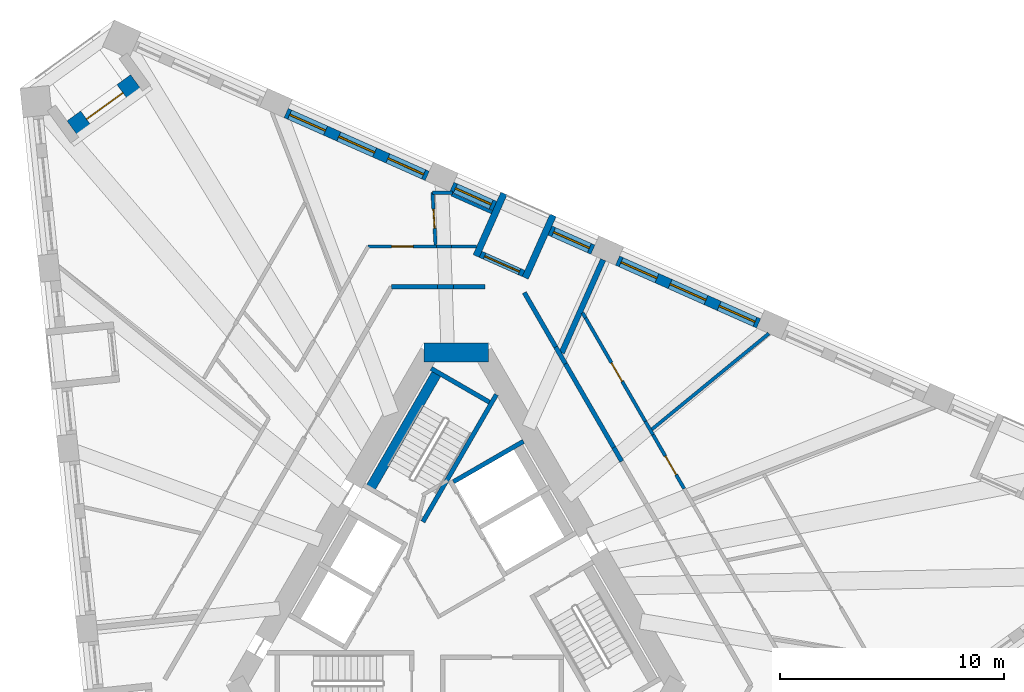
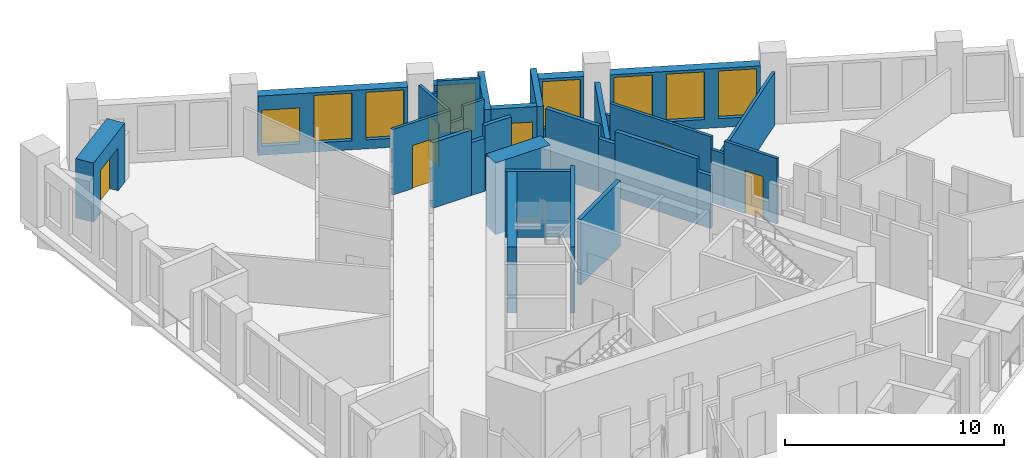
# One storey, part 8 of 14: 32 walls, 8 windows, 6 doors, 14 openings.
"""IFC4 building model written with IfcOpenShell, lengths in metres."""

from ifc_helpers import new_model, si_unit, direction, frame, frame_2d, origin, place, context, subcontext, project, spatial, rectangle, extrude, material, layer, layer_set, type_object, element, fill, save


model = new_model("IFC4")

# Units and contexts
model_context = context("Model", 3, precision=1e-05, world=origin(), true_north=direction((0.0, 1.0)))
body_context = subcontext(model_context, "Body", "Model", "MODEL_VIEW")
ifc_project = project(units=[si_unit("LENGTHUNIT", "METRE"), si_unit("AREAUNIT", "SQUARE_METRE"), si_unit("VOLUMEUNIT", "CUBIC_METRE"), si_unit("PLANEANGLEUNIT", "RADIAN"), si_unit("MASSUNIT", "GRAM", prefix="KILO")], contexts=[model_context])

# Site, building, storey
site_placement = place(None, origin())
site = spatial("IfcSite", under=ifc_project, at=site_placement, CompositionType="ELEMENT")
building_placement = place(site_placement, origin())
building = spatial("IfcBuilding", under=site, at=building_placement, Name="Tramontana Tower", CompositionType="ELEMENT")
storey_placement = place(building_placement, frame((0.0, 0.0, 166.800048828125)))
storey = spatial("IfcBuildingStorey", under=building, at=storey_placement, Name="L38", CompositionType="ELEMENT", Elevation=166.800048828125)

# Walls
ifc_material_1 = material(Name="Concrete 70 MPa", Category="concrete")
ifc_layer_1 = layer(ifc_material_1, 0.85009765625)
ifc_layer_set_1 = layer_set([ifc_layer_1], Name="Core wall 850 70 MPa")
wall_type_1 = type_object("IfcWallType", Name="Core wall 850 70 MPa", PredefinedType="SHEAR", material=ifc_layer_set_1)
wall_1_placement = place(storey_placement, frame((1.443359375, 10.574951171875, 0.0), z_axis=(0.0, 0.0, 1.0), x_axis=(-1.0, 0.0, 0.0)))
element("IfcWall", 1, at=wall_1_placement, inside=storey, type_object=wall_type_1, Name="Core wall C0 L38", PredefinedType="SHEAR", context=body_context, shape_type="SweptSolid", body=[
    extrude(rectangle(XDim=2.88671875, YDim=0.85009765625, at=frame_2d((1.443359375, 0.0))), origin(), (0.0, 0.0, 1.0), 4.0),
])
ifc_material_2 = material(Name="Blockwork", Category="masonry")
ifc_layer_2 = layer(ifc_material_2, 0.199951171875)
ifc_layer_set_2 = layer_set([ifc_layer_2], Name="ENTRY WALL 200")
wall_type_2 = type_object("IfcWallType", Name="ENTRY WALL 200", PredefinedType="SOLIDWALL", material=ifc_layer_set_2)
wall_2_placement = place(storey_placement, frame((3.034912109375, 13.243408203125, 0.0), z_axis=(0.0, 0.0, 1.0), x_axis=(0.499976698542, -0.86603885647, 0.0)))
element("IfcWall", 2, at=wall_2_placement, inside=storey, type_object=wall_type_2, Name="Wall v40-ew0-0", PredefinedType="SOLIDWALL", context=body_context, shape_type="SweptSolid", body=[
    extrude(rectangle(XDim=2.798583984375, YDim=0.199951171875, at=frame_2d((1.3994140625, 0.0))), origin(), (0.0, 0.0, 1.0), 3.64990234375),
])
wall_3_placement = place(storey_placement, frame((4.43408203125, 10.81982421875, 0.0), z_axis=(0.0, 0.0, 1.0), x_axis=(0.500023708017, -0.866011715522, 0.0)))
element("IfcWall", 3, at=wall_3_placement, inside=storey, type_object=wall_type_2, Name="Wall v40-ew0-1", PredefinedType="SOLIDWALL", context=body_context, shape_type="SweptSolid", body=[
    extrude(rectangle(XDim=0.865234375, YDim=0.199951171875, at=frame_2d((0.4326171875, 0.0))), origin(), (0.0, 0.0, 1.0), 2.949951171875),
])
wall_4_placement = place(storey_placement, frame((4.86669921875, 10.070556640625, 0.0), z_axis=(0.0, 0.0, 1.0), x_axis=(0.499992344383, -0.866029823712, 0.0)))
element("IfcWall", 4, at=wall_4_placement, inside=storey, type_object=wall_type_2, Name="Wall v40-ew0-2", PredefinedType="SOLIDWALL", context=body_context, shape_type="SweptSolid", body=[
    extrude(rectangle(XDim=4.306640625, YDim=0.199951171875, at=frame_2d((2.1533203125, 0.0))), origin(), (0.0, 0.0, 1.0), 3.64990234375),
])
wall_5_placement = place(storey_placement, frame((7.02001953125, 6.3408203125, 0.0), z_axis=(0.0, 0.0, 1.0), x_axis=(0.50012879774, -0.865951029603, 0.0)))
element("IfcWall", 5, at=wall_5_placement, inside=storey, type_object=wall_type_2, Name="Wall v40-ew0-3", PredefinedType="SOLIDWALL", context=body_context, shape_type="SweptSolid", body=[
    extrude(rectangle(XDim=0.710693359375, YDim=0.199951171875, at=frame_2d((0.35546875, 0.0))), origin(), (0.0, 0.0, 1.0), 2.949951171875),
])
wall_6_placement = place(storey_placement, frame((-2.88671875, 13.5, 0.0), z_axis=(0.0, 0.0, 1.0), x_axis=(1.0, 0.0, 0.0)))
element("IfcWall", 6, at=wall_6_placement, inside=storey, type_object=wall_type_2, Name="Wall v40-ew5-0", PredefinedType="SOLIDWALL", context=body_context, shape_type="SweptSolid", body=[
    extrude(rectangle(XDim=2.057861328125, YDim=0.199951171875, at=frame_2d((1.02880859375, 0.0))), origin(), (0.0, 0.0, 1.0), 3.64990234375),
])
wall_7_placement = place(storey_placement, frame((-0.828857421875, 13.5, 0.0), z_axis=(0.0, 0.0, 1.0), x_axis=(1.0, 0.0, 0.0)))
element("IfcWall", 7, at=wall_7_placement, inside=storey, type_object=wall_type_2, Name="Wall v40-ew5-1", PredefinedType="SOLIDWALL", context=body_context, shape_type="SweptSolid", body=[
    extrude(rectangle(XDim=0.700439453125, YDim=0.199951171875, at=frame_2d((0.35009765625, 0.0))), origin(), (0.0, 0.0, 1.0), 2.949951171875),
])
wall_8_placement = place(storey_placement, frame((-0.12841796875, 13.5, 0.0), z_axis=(0.0, 0.0, 1.0), x_axis=(1.0, 0.0, 0.0)))
element("IfcWall", 8, at=wall_8_placement, inside=storey, type_object=wall_type_2, Name="Wall v40-ew5-2", PredefinedType="SOLIDWALL", context=body_context, shape_type="SweptSolid", body=[
    extrude(rectangle(XDim=1.39990234375, YDim=0.199951171875, at=frame_2d((0.699951171875, 0.0))), origin(), (0.0, 0.0, 1.0), 3.64990234375),
])

# Wall, openings, windows
ifc_material_3 = material(Name="Precast concrete 60 MPa", Category="concrete")
ifc_layer_3 = layer(ifc_material_3, 0.449951171875)
ifc_layer_set_3 = layer_set([ifc_layer_3], Name="Precast concrete 60 MPa, 450 mm")
wall_type_3 = type_object("IfcWallType", Name="EW1 Stone-faced precast wall 450", PredefinedType="SOLIDWALL", material=ifc_layer_set_3)
wall_9_placement = place(storey_placement, frame((13.475830078125, 11.8701171875, 0.0), z_axis=(0.0, 0.0, 1.0), x_axis=(-0.913543675585, 0.40674064562, 0.0)))
wall_9 = element("IfcWall", 9, at=wall_9_placement, inside=storey, type_object=wall_type_3, Name="External wall L38 face 2 bay 3", PredefinedType="SOLIDWALL", context=body_context, shape_type="SweptSolid", body=[
    extrude(rectangle(XDim=6.8828125, YDim=0.449951171875, at=frame_2d((3.44140625, 0.0))), origin(), (0.0, 0.0, 1.0), 3.300048828125),
])
opening_1_placement = place(wall_9_placement, frame((0.172119140625, 0.0, 0.5)))
opening_1 = element("IfcOpeningElement", 10, at=opening_1_placement, cuts=wall_9, Name="Opening M2", PredefinedType="OPENING", context=body_context, shape_type="SweptSolid", body=[
    extrude(rectangle(XDim=1.75, YDim=2.64990234375, at=frame_2d((0.875, 1.324951171875))), frame((0.0, 0.23486328125, 0.0), z_axis=(0.0, -1.0, 0.0), x_axis=(1.0, 0.0, 0.0)), (0.0, 0.0, 1.0), 0.469970703125),
])
opening_2_placement = place(wall_9_placement, frame((2.56640625, 0.0, 0.5)))
opening_2 = element("IfcOpeningElement", 11, at=opening_2_placement, cuts=wall_9, Name="Opening M2", PredefinedType="OPENING", context=body_context, shape_type="SweptSolid", body=[
    extrude(rectangle(XDim=1.75, YDim=2.64990234375, at=frame_2d((0.875, 1.324951171875))), frame((0.0, 0.23486328125, 0.0), z_axis=(0.0, -1.0, 0.0), x_axis=(1.0, 0.0, 0.0)), (0.0, 0.0, 1.0), 0.469970703125),
])
opening_3_placement = place(wall_9_placement, frame((4.960693359375, 0.0, 0.5)))
opening_3 = element("IfcOpeningElement", 12, at=opening_3_placement, cuts=wall_9, Name="Opening M2", PredefinedType="OPENING", context=body_context, shape_type="SweptSolid", body=[
    extrude(rectangle(XDim=1.75, YDim=2.64990234375, at=frame_2d((0.875, 1.324951171875))), frame((0.0, 0.23486328125, 0.0), z_axis=(0.0, -1.0, 0.0), x_axis=(1.0, 0.0, 0.0)), (0.0, 0.0, 1.0), 0.469970703125),
])
ifc_material_4 = material(Name="Aluminum frame, double glazing unit", Category="aluminium")
window_type_1 = type_object("IfcWindowType", Name="M2 Window 1.75 x 2.65", PartitioningType="SINGLE_PANEL", PredefinedType="WINDOW", material=ifc_material_4)
window_1_placement = place(opening_1_placement, origin())
window_1 = element("IfcWindow", 13, at=window_1_placement, inside=storey, type_object=window_type_1, Name="Window M2 L38 face 2 module 7", OverallHeight=2.64990234375, OverallWidth=1.75, PartitioningType="SINGLE_PANEL", PredefinedType="WINDOW", context=body_context, shape_type="SweptSolid", body=[
    extrude(rectangle(XDim=1.75, YDim=2.64990234375, at=frame_2d((0.875, 1.324951171875))), frame((0.0, 0.030029296875, 0.0), z_axis=(0.0, -1.0, 0.0), x_axis=(1.0, 0.0, 0.0)), (0.0, 0.0, 1.0), 0.06005859375),
])
fill(opening_1, window_1)
window_2_placement = place(opening_2_placement, origin())
window_2 = element("IfcWindow", 14, at=window_2_placement, inside=storey, type_object=window_type_1, Name="Window M2 L38 face 2 module 8", OverallHeight=2.64990234375, OverallWidth=1.75, PartitioningType="SINGLE_PANEL", PredefinedType="WINDOW", context=body_context, shape_type="SweptSolid", body=[
    extrude(rectangle(XDim=1.75, YDim=2.64990234375, at=frame_2d((0.875, 1.324951171875))), frame((0.0, 0.030029296875, 0.0), z_axis=(0.0, -1.0, 0.0), x_axis=(1.0, 0.0, 0.0)), (0.0, 0.0, 1.0), 0.06005859375),
])
fill(opening_2, window_2)
window_3_placement = place(opening_3_placement, origin())
window_3 = element("IfcWindow", 15, at=window_3_placement, inside=storey, type_object=window_type_1, Name="Window M2 L38 face 2 module 9", OverallHeight=2.64990234375, OverallWidth=1.75, PartitioningType="SINGLE_PANEL", PredefinedType="WINDOW", context=body_context, shape_type="SweptSolid", body=[
    extrude(rectangle(XDim=1.75, YDim=2.64990234375, at=frame_2d((0.875, 1.324951171875))), frame((0.0, 0.030029296875, 0.0), z_axis=(0.0, -1.0, 0.0), x_axis=(1.0, 0.0, 0.0)), (0.0, 0.0, 1.0), 0.06005859375),
])
fill(opening_3, window_3)

# Wall, opening, window
wall_10_placement = place(storey_placement, frame((6.091796875, 15.15771484375, 0.0), z_axis=(0.0, 0.0, 1.0), x_axis=(-0.913537312596, 0.406754936657, 0.0)))
wall_10 = element("IfcWall", 16, at=wall_10_placement, inside=storey, type_object=wall_type_3, Name="External wall L38 face 2 bay 4", PredefinedType="SOLIDWALL", context=body_context, shape_type="SweptSolid", body=[
    extrude(rectangle(XDim=2.09423828125, YDim=0.449951171875, at=frame_2d((1.047119140625, 0.0))), origin(), (0.0, 0.0, 1.0), 3.300048828125),
])
opening_4_placement = place(wall_10_placement, frame((0.172119140625, 0.0, 0.5)))
opening_4 = element("IfcOpeningElement", 17, at=opening_4_placement, cuts=wall_10, Name="Opening M2", PredefinedType="OPENING", context=body_context, shape_type="SweptSolid", body=[
    extrude(rectangle(XDim=1.75, YDim=2.64990234375, at=frame_2d((0.875, 1.324951171875))), frame((0.0, 0.23486328125, 0.0), z_axis=(0.0, -1.0, 0.0), x_axis=(1.0, 0.0, 0.0)), (0.0, 0.0, 1.0), 0.469970703125),
])
window_4_placement = place(opening_4_placement, origin())
window_4 = element("IfcWindow", 18, at=window_4_placement, inside=storey, type_object=window_type_1, Name="Window M2 L38 face 2 module 10", OverallHeight=2.64990234375, OverallWidth=1.75, PartitioningType="SINGLE_PANEL", PredefinedType="WINDOW", context=body_context, shape_type="SweptSolid", body=[
    extrude(rectangle(XDim=1.75, YDim=2.64990234375, at=frame_2d((0.875, 1.324951171875))), frame((0.0, 0.030029296875, 0.0), z_axis=(0.0, -1.0, 0.0), x_axis=(1.0, 0.0, 0.0)), (0.0, 0.0, 1.0), 0.06005859375),
])
fill(opening_4, window_4)

wall_11_placement = place(storey_placement, frame((1.71728515625, 17.10546875, 0.0), z_axis=(0.0, 0.0, 1.0), x_axis=(-0.913556597974, 0.40671162056, 0.0)))
wall_11 = element("IfcWall", 19, at=wall_11_placement, inside=storey, type_object=wall_type_3, Name="External wall L38 face 2 bay 4", PredefinedType="SOLIDWALL", context=body_context, shape_type="SweptSolid", body=[
    extrude(rectangle(XDim=2.094482421875, YDim=0.449951171875, at=frame_2d((1.04736328125, 0.0))), origin(), (0.0, 0.0, 1.0), 3.300048828125),
])
opening_5_placement = place(wall_11_placement, frame((0.172119140625, 0.0, 0.5)))
opening_5 = element("IfcOpeningElement", 20, at=opening_5_placement, cuts=wall_11, Name="Opening M2", PredefinedType="OPENING", context=body_context, shape_type="SweptSolid", body=[
    extrude(rectangle(XDim=1.75, YDim=2.64990234375, at=frame_2d((0.875, 1.324951171875))), frame((0.0, 0.23486328125, 0.0), z_axis=(0.0, -1.0, 0.0), x_axis=(1.0, 0.0, 0.0)), (0.0, 0.0, 1.0), 0.469970703125),
])
window_5_placement = place(opening_5_placement, origin())
window_5 = element("IfcWindow", 21, at=window_5_placement, inside=storey, type_object=window_type_1, Name="Window M2 L38 face 2 module 12", OverallHeight=2.64990234375, OverallWidth=1.75, PartitioningType="SINGLE_PANEL", PredefinedType="WINDOW", context=body_context, shape_type="SweptSolid", body=[
    extrude(rectangle(XDim=1.75, YDim=2.64990234375, at=frame_2d((0.875, 1.324951171875))), frame((0.0, 0.030029296875, 0.0), z_axis=(0.0, -1.0, 0.0), x_axis=(1.0, 0.0, 0.0)), (0.0, 0.0, 1.0), 0.06005859375),
])
fill(opening_5, window_5)

# Wall, openings, windows
wall_12_placement = place(storey_placement, frame((-1.292236328125, 18.4453125, 0.0), z_axis=(0.0, 0.0, 1.0), x_axis=(-0.913543675585, 0.40674064562, 0.0)))
wall_12 = element("IfcWall", 22, at=wall_12_placement, inside=storey, type_object=wall_type_3, Name="External wall L38 face 2 bay 5", PredefinedType="SOLIDWALL", context=body_context, shape_type="SweptSolid", body=[
    extrude(rectangle(XDim=6.8828125, YDim=0.449951171875, at=frame_2d((3.44140625, 0.0))), origin(), (0.0, 0.0, 1.0), 3.300048828125),
])
opening_6_placement = place(wall_12_placement, frame((0.172119140625, 0.0, 0.5)))
opening_6 = element("IfcOpeningElement", 23, at=opening_6_placement, cuts=wall_12, Name="Opening M2", PredefinedType="OPENING", context=body_context, shape_type="SweptSolid", body=[
    extrude(rectangle(XDim=1.75, YDim=2.64990234375, at=frame_2d((0.875, 1.324951171875))), frame((0.0, 0.23486328125, 0.0), z_axis=(0.0, -1.0, 0.0), x_axis=(1.0, 0.0, 0.0)), (0.0, 0.0, 1.0), 0.469970703125),
])
opening_7_placement = place(wall_12_placement, frame((2.56640625, 0.0, 0.5)))
opening_7 = element("IfcOpeningElement", 24, at=opening_7_placement, cuts=wall_12, Name="Opening M2", PredefinedType="OPENING", context=body_context, shape_type="SweptSolid", body=[
    extrude(rectangle(XDim=1.75, YDim=2.64990234375, at=frame_2d((0.875, 1.324951171875))), frame((0.0, 0.23486328125, 0.0), z_axis=(0.0, -1.0, 0.0), x_axis=(1.0, 0.0, 0.0)), (0.0, 0.0, 1.0), 0.469970703125),
])
opening_8_placement = place(wall_12_placement, frame((4.960693359375, 0.0, 0.5)))
opening_8 = element("IfcOpeningElement", 25, at=opening_8_placement, cuts=wall_12, Name="Opening M2L", PredefinedType="OPENING", context=body_context, shape_type="SweptSolid", body=[
    extrude(rectangle(XDim=1.75, YDim=2.0, at=frame_2d((0.875, 1.0))), frame((0.0, 0.23486328125, 0.0), z_axis=(0.0, -1.0, 0.0), x_axis=(1.0, 0.0, 0.0)), (0.0, 0.0, 1.0), 0.469970703125),
])
window_6_placement = place(opening_6_placement, origin())
window_6 = element("IfcWindow", 26, at=window_6_placement, inside=storey, type_object=window_type_1, Name="Window M2 L38 face 2 module 13", OverallHeight=2.64990234375, OverallWidth=1.75, PartitioningType="SINGLE_PANEL", PredefinedType="WINDOW", context=body_context, shape_type="SweptSolid", body=[
    extrude(rectangle(XDim=1.75, YDim=2.64990234375, at=frame_2d((0.875, 1.324951171875))), frame((0.0, 0.030029296875, 0.0), z_axis=(0.0, -1.0, 0.0), x_axis=(1.0, 0.0, 0.0)), (0.0, 0.0, 1.0), 0.06005859375),
])
fill(opening_6, window_6)
window_7_placement = place(opening_7_placement, origin())
window_7 = element("IfcWindow", 27, at=window_7_placement, inside=storey, type_object=window_type_1, Name="Window M2 L38 face 2 module 14", OverallHeight=2.64990234375, OverallWidth=1.75, PartitioningType="SINGLE_PANEL", PredefinedType="WINDOW", context=body_context, shape_type="SweptSolid", body=[
    extrude(rectangle(XDim=1.75, YDim=2.64990234375, at=frame_2d((0.875, 1.324951171875))), frame((0.0, 0.030029296875, 0.0), z_axis=(0.0, -1.0, 0.0), x_axis=(1.0, 0.0, 0.0)), (0.0, 0.0, 1.0), 0.06005859375),
])
fill(opening_7, window_7)
ifc_material_5 = material(Name="Aluminum frame, double glazing unit", Category="aluminium")
window_type_2 = type_object("IfcWindowType", Name="M2L Window 1.75 x 2", PartitioningType="SINGLE_PANEL", PredefinedType="WINDOW", material=ifc_material_5)
window_8_placement = place(opening_8_placement, origin())
window_8 = element("IfcWindow", 28, at=window_8_placement, inside=storey, type_object=window_type_2, Name="Window M2L L38 face 2 module 15", OverallHeight=2.0, OverallWidth=1.75, PartitioningType="SINGLE_PANEL", PredefinedType="WINDOW", context=body_context, shape_type="SweptSolid", body=[
    extrude(rectangle(XDim=1.75, YDim=2.0, at=frame_2d((0.875, 1.0))), frame((0.0, 0.030029296875, 0.0), z_axis=(0.0, -1.0, 0.0), x_axis=(1.0, 0.0, 0.0)), (0.0, 0.0, 1.0), 0.06005859375),
])
fill(opening_8, window_8)

# Wall, opening, door
ifc_material_6 = material(Name="Precast concrete 60 MPa", Category="concrete")
ifc_layer_4 = layer(ifc_material_6, 0.89990234375)
ifc_layer_set_4 = layer_set([ifc_layer_4], Name="EW2 Stone-faced corner loggia wall 900")
wall_type_4 = type_object("IfcWallType", Name="EW2 Stone-faced corner loggia wall 900", PredefinedType="SOLIDWALL", material=ifc_layer_set_4)
wall_13_placement = place(storey_placement, frame((-17.080322265625, 20.53173828125, 0.0), z_axis=(0.0, 0.0, 1.0), x_axis=(0.809031597325, 0.587765152531, 0.0)))
wall_13 = element("IfcWall", 29, at=wall_13_placement, inside=storey, type_object=wall_type_4, Name="Corner loggia wall L38 K40", PredefinedType="SOLIDWALL", context=body_context, shape_type="SweptSolid", body=[
    extrude(rectangle(XDim=3.5, YDim=0.89990234375, at=frame_2d((1.75, 0.0))), origin(), (0.0, 0.0, 1.0), 3.300048828125),
])
opening_9_placement = place(wall_13_placement, frame((0.75, 0.0, 0.0)))
opening_9 = element("IfcOpeningElement", 30, at=opening_9_placement, cuts=wall_13, Name="Opening BD-40C", PredefinedType="OPENING", context=body_context, shape_type="SweptSolid", body=[
    extrude(rectangle(XDim=2.0, YDim=2.39990234375, at=frame_2d((1.0, 1.199951171875))), frame((0.0, 0.4599609375, 0.0), z_axis=(0.0, -1.0, 0.0), x_axis=(1.0, 0.0, 0.0)), (0.0, 0.0, 1.0), 0.919921875),
])
ifc_material_7 = material(Name="Aluminum frame, double glazing unit", Category="aluminium")
door_type_1 = type_object("IfcDoorType", Name="BC1 Sliding door 2 x 2.4", OperationType="SLIDING_TO_LEFT", PredefinedType="DOOR", material=ifc_material_7)
door_1_placement = place(opening_9_placement, origin())
door_1 = element("IfcDoor", 31, at=door_1_placement, inside=storey, type_object=door_type_1, Name="Corner loggia door L38 K40", OperationType="SLIDING_TO_LEFT", OverallHeight=2.39990234375, OverallWidth=2.0, PredefinedType="DOOR", context=body_context, shape_type="SweptSolid", body=[
    extrude(rectangle(XDim=2.0, YDim=2.39990234375, at=frame_2d((1.0, 1.199951171875))), frame((0.0, 0.02490234375, 0.0), z_axis=(0.0, -1.0, 0.0), x_axis=(1.0, 0.0, 0.0)), (0.0, 0.0, 1.0), 0.050048828125),
])
fill(opening_9, door_1)

ifc_material_8 = material(Name="Precast concrete 60 MPa", Category="concrete")
ifc_layer_5 = layer(ifc_material_8, 0.300048828125)
ifc_layer_set_5 = layer_set([ifc_layer_5], Name="LW1 Stone-faced loggia wall 300")
wall_type_5 = type_object("IfcWallType", Name="LW1 Stone-faced loggia wall 300", PredefinedType="SOLIDWALL", material=ifc_layer_set_5)
wall_14_placement = place(storey_placement, frame((2.99951171875, 14.098876953125, 0.0), z_axis=(0.0, 0.0, 1.0), x_axis=(-0.913537312596, 0.406754936657, 0.0)))
wall_14 = element("IfcWall", 32, at=wall_14_placement, inside=storey, type_object=wall_type_5, Name="Loggia wall L38 G4S2.10", PredefinedType="SOLIDWALL", context=body_context, shape_type="SweptSolid", body=[
    extrude(rectangle(XDim=2.09423828125, YDim=0.300048828125, at=frame_2d((1.047119140625, 0.0))), origin(), (0.0, 0.0, 1.0), 3.300048828125),
])
opening_10_placement = place(wall_14_placement, frame((0.197265625, 0.0, 0.0)))
opening_10 = element("IfcOpeningElement", 33, at=opening_10_placement, cuts=wall_14, Name="Opening BD-4S2-10", PredefinedType="OPENING", context=body_context, shape_type="SweptSolid", body=[
    extrude(rectangle(XDim=1.699951171875, YDim=2.449951171875, at=frame_2d((0.85009765625, 1.22509765625))), frame((0.0, 0.159912109375, 0.0), z_axis=(0.0, -1.0, 0.0), x_axis=(1.0, 0.0, 0.0)), (0.0, 0.0, 1.0), 0.320068359375),
])
ifc_material_9 = material(Name="Aluminum frame, double glazing unit", Category="aluminium")
door_type_2 = type_object("IfcDoorType", Name="BD2 Sliding door 1.7 x 2.45", OperationType="SLIDING_TO_LEFT", PredefinedType="DOOR", material=ifc_material_9)
door_2_placement = place(opening_10_placement, origin())
door_2 = element("IfcDoor", 34, at=door_2_placement, inside=storey, type_object=door_type_2, Name="Loggia door L38 G4S2.10", OperationType="SLIDING_TO_LEFT", OverallHeight=2.449951171875, OverallWidth=1.699951171875, PredefinedType="DOOR", context=body_context, shape_type="SweptSolid", body=[
    extrude(rectangle(XDim=1.699951171875, YDim=2.449951171875, at=frame_2d((0.85009765625, 1.22509765625))), frame((0.0, 0.02490234375, 0.0), z_axis=(0.0, -1.0, 0.0), x_axis=(1.0, 0.0, 0.0)), (0.0, 0.0, 1.0), 0.050048828125),
])
fill(opening_10, door_2)

# Walls
wall_15_placement = place(storey_placement, frame((4.316162109375, 16.687255859375, 0.0), z_axis=(0.0, 0.0, 1.0), x_axis=(-0.406710256677, -0.913557205168, 0.0)))
element("IfcWall", 35, at=wall_15_placement, inside=storey, type_object=wall_type_5, Name="Loggia return L38 G4S2.10a", PredefinedType="SOLIDWALL", context=body_context, shape_type="SweptSolid", body=[
    extrude(rectangle(XDim=3.050048828125, YDim=0.300048828125, at=frame_2d((1.52490234375, 0.0))), origin(), (0.0, 0.0, 1.0), 3.300048828125),
])
wall_16_placement = place(storey_placement, frame((2.12890625, 17.660888671875, 0.0), z_axis=(0.0, 0.0, 1.0), x_axis=(-0.406806804169, -0.913514216683, 0.0)))
element("IfcWall", 36, at=wall_16_placement, inside=storey, type_object=wall_type_5, Name="Loggia return L38 G4S2.10b", PredefinedType="SOLIDWALL", context=body_context, shape_type="SweptSolid", body=[
    extrude(rectangle(XDim=3.0498046875, YDim=0.300048828125, at=frame_2d((1.52490234375, 0.0))), origin(), (0.0, 0.0, 1.0), 3.300048828125),
])

# Wall, opening, door
ifc_material_10 = material(Name="Gypsum board partition")
ifc_layer_6 = layer(ifc_material_10, 0.14990234375)
ifc_layer_set_6 = layer_set([ifc_layer_6], Name="PARTITION 150")
wall_type_6 = type_object("IfcWallType", Name="PARTITION 150", PredefinedType="PARTITIONING", material=ifc_layer_set_6)
wall_17_placement = place(storey_placement, frame((-3.926025390625, 15.300048828125, 0.0), z_axis=(0.0, 0.0, 1.0), x_axis=(1.0, 0.0, 0.0)))
wall_17 = element("IfcWall", 37, at=wall_17_placement, inside=storey, type_object=wall_type_6, Name="Wall v40-pw16-0", PredefinedType="PARTITIONING", context=body_context, shape_type="SweptSolid", body=[
    extrude(rectangle(XDim=3.0458984375, YDim=0.14990234375, at=frame_2d((1.52294921875, 0.0))), origin(), (0.0, 0.0, 1.0), 3.64990234375),
])
opening_11_placement = place(wall_17_placement, frame((1.052001953125, 0.0, 0.0)))
opening_11 = element("IfcOpeningElement", 38, at=opening_11_placement, cuts=wall_17, Name="Opening B4A-04", PredefinedType="OPENING", context=body_context, shape_type="SweptSolid", body=[
    extrude(rectangle(XDim=0.949951171875, YDim=2.39990234375, at=frame_2d((0.47509765625, 1.199951171875))), frame((0.0, 0.0849609375, 0.0), z_axis=(0.0, -1.0, 0.0), x_axis=(1.0, 0.0, 0.0)), (0.0, 0.0, 1.0), 0.169921875),
])
ifc_material_11 = material(Name="Painted timber", Category="wood")
door_type_3 = type_object("IfcDoorType", Name="DOOR ROOM 950", OperationType="SINGLE_SWING_LEFT", PredefinedType="DOOR", material=ifc_material_11)
door_3_placement = place(opening_11_placement, origin())
door_3 = element("IfcDoor", 39, at=door_3_placement, inside=storey, type_object=door_type_3, Name="Door B4A-04", OperationType="SINGLE_SWING_RIGHT", OverallHeight=2.39990234375, OverallWidth=0.949951171875, PredefinedType="DOOR", context=body_context, shape_type="SweptSolid", body=[
    extrude(rectangle(XDim=0.949951171875, YDim=2.39990234375, at=frame_2d((0.47509765625, 1.199951171875))), frame((0.0, 0.02490234375, 0.0), z_axis=(0.0, -1.0, 0.0), x_axis=(1.0, 0.0, 0.0)), (0.0, 0.0, 1.0), 0.050048828125),
])
fill(opening_11, door_3)

# Walls
wall_18_placement = place(storey_placement, frame((-0.880126953125, 15.300048828125, 0.0), z_axis=(0.0, 0.0, 1.0), x_axis=(1.0, 0.0, 0.0)))
element("IfcWall", 40, at=wall_18_placement, inside=storey, type_object=wall_type_6, Name="Wall v40-pw16-1", PredefinedType="PARTITIONING", context=body_context, shape_type="SweptSolid", body=[
    extrude(rectangle(XDim=0.67529296875, YDim=0.14990234375, at=frame_2d((0.337646484375, 0.0))), origin(), (0.0, 0.0, 1.0), 2.949951171875),
])
wall_19_placement = place(storey_placement, frame((-0.204833984375, 15.300048828125, 0.0), z_axis=(0.0, 0.0, 1.0), x_axis=(1.0, 0.0, 0.0)))
element("IfcWall", 41, at=wall_19_placement, inside=storey, type_object=wall_type_6, Name="Wall v40-pw16-2", PredefinedType="PARTITIONING", context=body_context, shape_type="SweptSolid", body=[
    extrude(rectangle(XDim=1.1181640625, YDim=0.14990234375, at=frame_2d((0.55908203125, 0.0))), origin(), (0.0, 0.0, 1.0), 3.64990234375),
])
wall_20_placement = place(storey_placement, frame((-1.05859375, 17.699951171875, 0.0), z_axis=(0.0, 0.0, 1.0), x_axis=(1.0, 0.0, 0.0)))
element("IfcWall", 42, at=wall_20_placement, inside=storey, type_object=wall_type_6, Name="Wall v40-pw20-0", PredefinedType="PARTITIONING", context=body_context, shape_type="SweptSolid", body=[
    extrude(rectangle(XDim=0.88720703125, YDim=0.14990234375, at=frame_2d((0.443603515625, 0.0))), origin(), (0.0, 0.0, 1.0), 2.949951171875),
])

# Wall, opening, door
wall_21_placement = place(storey_placement, frame((-1.05859375, 17.699951171875, 0.0), z_axis=(0.0, 0.0, 1.0), x_axis=(0.059643707448, -0.998219729399, 0.0)))
wall_21 = element("IfcWall", 43, at=wall_21_placement, inside=storey, type_object=wall_type_6, Name="Wall v40-pw21", PredefinedType="PARTITIONING", context=body_context, shape_type="SweptSolid", body=[
    extrude(rectangle(XDim=2.3291015625, YDim=0.14990234375, at=frame_2d((1.16455078125, 0.0))), origin(), (0.0, 0.0, 1.0), 3.64990234375),
])
opening_12_placement = place(wall_21_placement, frame((0.739501953125, 0.0, 0.0)))
opening_12 = element("IfcOpeningElement", 44, at=opening_12_placement, cuts=wall_21, Name="Opening B4A-07", PredefinedType="OPENING", context=body_context, shape_type="SweptSolid", body=[
    extrude(rectangle(XDim=0.85009765625, YDim=2.39990234375, at=frame_2d((0.425048828125, 1.199951171875))), frame((0.0, 0.0849609375, 0.0), z_axis=(0.0, -1.0, 0.0), x_axis=(1.0, 0.0, 0.0)), (0.0, 0.0, 1.0), 0.169921875),
])
ifc_material_12 = material(Name="Painted timber", Category="wood")
door_type_4 = type_object("IfcDoorType", Name="DOOR BATH 850", OperationType="SINGLE_SWING_LEFT", PredefinedType="DOOR", material=ifc_material_12)
door_4_placement = place(opening_12_placement, origin())
door_4 = element("IfcDoor", 45, at=door_4_placement, inside=storey, type_object=door_type_4, Name="Door B4A-07", OperationType="SINGLE_SWING_LEFT", OverallHeight=2.39990234375, OverallWidth=0.85009765625, PredefinedType="DOOR", context=body_context, shape_type="SweptSolid", body=[
    extrude(rectangle(XDim=0.85009765625, YDim=2.39990234375, at=frame_2d((0.425048828125, 1.199951171875))), frame((0.0, 0.02490234375, 0.0), z_axis=(0.0, -1.0, 0.0), x_axis=(1.0, 0.0, 0.0)), (0.0, 0.0, 1.0), 0.050048828125),
])
fill(opening_12, door_4)

# Walls
wall_22_placement = place(storey_placement, frame((-0.2060546875, 17.622314453125, 0.0), z_axis=(0.0, 0.0, 1.0), x_axis=(0.91356059905, -0.406702633214, 0.0)))
element("IfcWall", 46, at=wall_22_placement, inside=storey, type_object=wall_type_6, Name="Wall v40-pw22", PredefinedType="PARTITIONING", context=body_context, shape_type="SweptSolid", body=[
    extrude(rectangle(XDim=1.967041015625, YDim=0.14990234375, at=frame_2d((0.9833984375, 0.0))), origin(), (0.0, 0.0, 1.0), 3.64990234375),
])
wall_23_placement = place(storey_placement, frame((5.6328125, 12.34375, 0.0), z_axis=(0.0, 0.0, 1.0), x_axis=(0.4996419034, -0.866232052263, 0.0)))
element("IfcWall", 47, at=wall_23_placement, inside=storey, type_object=wall_type_6, Name="Wall v40-pw24-0", PredefinedType="PARTITIONING", context=body_context, shape_type="SweptSolid", body=[
    extrude(rectangle(XDim=0.262451171875, YDim=0.14990234375, at=frame_2d((0.13134765625, 0.0))), origin(), (0.0, 0.0, 1.0), 2.949951171875),
])

# Wall, opening, door
wall_24_placement = place(storey_placement, frame((5.763916015625, 12.116455078125, 0.0), z_axis=(0.0, 0.0, 1.0), x_axis=(0.500004172341, -0.866022994869, 0.0)))
wall_24 = element("IfcWall", 48, at=wall_24_placement, inside=storey, type_object=wall_type_6, Name="Wall v40-pw24-1", PredefinedType="PARTITIONING", context=body_context, shape_type="SweptSolid", body=[
    extrude(rectangle(XDim=5.326171875, YDim=0.14990234375, at=frame_2d((2.6630859375, 0.0))), origin(), (0.0, 0.0, 1.0), 3.64990234375),
])
opening_13_placement = place(wall_24_placement, frame((2.31201171875, 0.0, 0.0)))
opening_13 = element("IfcOpeningElement", 49, at=opening_13_placement, cuts=wall_24, Name="Opening B4A-19", PredefinedType="OPENING", context=body_context, shape_type="SweptSolid", body=[
    extrude(rectangle(XDim=0.949951171875, YDim=2.39990234375, at=frame_2d((0.47509765625, 1.199951171875))), frame((0.0, 0.0849609375, 0.0), z_axis=(0.0, -1.0, 0.0), x_axis=(1.0, 0.0, 0.0)), (0.0, 0.0, 1.0), 0.169921875),
])
door_5_placement = place(opening_13_placement, origin())
door_5 = element("IfcDoor", 50, at=door_5_placement, inside=storey, type_object=door_type_3, Name="Door B4A-19", OperationType="SINGLE_SWING_LEFT", OverallHeight=2.39990234375, OverallWidth=0.949951171875, PredefinedType="DOOR", context=body_context, shape_type="SweptSolid", body=[
    extrude(rectangle(XDim=0.949951171875, YDim=2.39990234375, at=frame_2d((0.47509765625, 1.199951171875))), frame((0.0, 0.02490234375, 0.0), z_axis=(0.0, -1.0, 0.0), x_axis=(1.0, 0.0, 0.0)), (0.0, 0.0, 1.0), 0.050048828125),
])
fill(opening_13, door_5)

# Wall
wall_25_placement = place(storey_placement, frame((8.427001953125, 7.50390625, 0.0), z_axis=(0.0, 0.0, 1.0), x_axis=(0.50012328804, -0.865954211699, 0.0)))
element("IfcWall", 51, at=wall_25_placement, inside=storey, type_object=wall_type_6, Name="Wall v40-pw24-2", PredefinedType="PARTITIONING", context=body_context, shape_type="SweptSolid", body=[
    extrude(rectangle(XDim=0.685302734375, YDim=0.14990234375, at=frame_2d((0.3427734375, 0.0))), origin(), (0.0, 0.0, 1.0), 2.949951171875),
])

# Wall, opening, door
wall_26_placement = place(storey_placement, frame((8.769775390625, 6.910400390625, 0.0), z_axis=(0.0, 0.0, 1.0), x_axis=(0.50000932403, -0.866020020486, 0.0)))
wall_26 = element("IfcWall", 52, at=wall_26_placement, inside=storey, type_object=wall_type_6, Name="Wall v40-pw24-3", PredefinedType="PARTITIONING", context=body_context, shape_type="SweptSolid", body=[
    extrude(rectangle(XDim=2.77490234375, YDim=0.14990234375, at=frame_2d((1.387451171875, 0.0))), origin(), (0.0, 0.0, 1.0), 3.64990234375),
])
opening_14_placement = place(wall_26_placement, frame((1.1025390625, 0.0, 0.0)))
opening_14 = element("IfcOpeningElement", 53, at=opening_14_placement, cuts=wall_26, Name="Opening B4A-18", PredefinedType="OPENING", context=body_context, shape_type="SweptSolid", body=[
    extrude(rectangle(XDim=0.949951171875, YDim=2.39990234375, at=frame_2d((0.47509765625, 1.199951171875))), frame((0.0, 0.0849609375, 0.0), z_axis=(0.0, -1.0, 0.0), x_axis=(1.0, 0.0, 0.0)), (0.0, 0.0, 1.0), 0.169921875),
])
door_6_placement = place(opening_14_placement, origin())
door_6 = element("IfcDoor", 54, at=door_6_placement, inside=storey, type_object=door_type_3, Name="Door B4A-18", OperationType="SINGLE_SWING_RIGHT", OverallHeight=2.39990234375, OverallWidth=0.949951171875, PredefinedType="DOOR", context=body_context, shape_type="SweptSolid", body=[
    extrude(rectangle(XDim=0.949951171875, YDim=2.39990234375, at=frame_2d((0.47509765625, 1.199951171875))), frame((0.0, 0.02490234375, 0.0), z_axis=(0.0, -1.0, 0.0), x_axis=(1.0, 0.0, 0.0)), (0.0, 0.0, 1.0), 0.050048828125),
])
fill(opening_14, door_6)

# Walls
wall_27_placement = place(storey_placement, frame((8.719482421875, 7.1474609375, 0.0), z_axis=(0.0, 0.0, 1.0), x_axis=(0.77340025594, 0.633918010559, 0.0)))
element("IfcWall", 55, at=wall_27_placement, inside=storey, type_object=wall_type_6, Name="Wall v40-pw28-0", PredefinedType="PARTITIONING", context=body_context, shape_type="SweptSolid", body=[
    extrude(rectangle(XDim=6.740478515625, YDim=0.14990234375, at=frame_2d((3.3701171875, 0.0))), origin(), (0.0, 0.0, 1.0), 2.949951171875),
])
ifc_material_13 = material(Name="Blockwork", Category="masonry")
ifc_layer_7 = layer(ifc_material_13, 0.25)
ifc_layer_set_7 = layer_set([ifc_layer_7], Name="PARTY WALL 250")
wall_type_7 = type_object("IfcWallType", Name="PARTY WALL 250", PredefinedType="SOLIDWALL", material=ifc_layer_set_7)
wall_28_placement = place(storey_placement, frame((6.54833984375, 14.7080078125, 0.0), z_axis=(0.0, 0.0, 1.0), x_axis=(-0.406736768984, -0.913545401585, 0.0)))
element("IfcWall", 56, at=wall_28_placement, inside=storey, type_object=wall_type_7, Name="Wall v40-pw25-0", PredefinedType="SOLIDWALL", context=body_context, shape_type="SweptSolid", body=[
    extrude(rectangle(XDim=4.542724609375, YDim=0.25, at=frame_2d((2.271484375, 0.0))), origin(), (0.0, 0.0, 1.0), 2.949951171875),
])
ifc_material_14 = material(Name="Concrete 70 MPa", Category="concrete")
ifc_layer_8 = layer(ifc_material_14, 0.449951171875)
ifc_layer_set_8 = layer_set([ifc_layer_8], Name="Concrete 70 MPa, 450 mm")
wall_type_8 = type_object("IfcWallType", Name="RC SHAFT BACK WALL 450", PredefinedType="SOLIDWALL", material=ifc_layer_set_8)
wall_29_placement = place(storey_placement, frame((-0.7880859375, 9.784912109375, 0.0), z_axis=(0.0, 0.0, 1.0), x_axis=(-0.500009909098, -0.866019682689, 0.0)))
element("IfcWall", 57, at=wall_29_placement, inside=storey, type_object=wall_type_8, Name="Wall st1-back", PredefinedType="SOLIDWALL", context=body_context, shape_type="SweptSolid", body=[
    extrude(rectangle(XDim=6.199951171875, YDim=0.449951171875, at=frame_2d((3.10009765625, 0.0))), origin(), (0.0, 0.0, 1.0), 3.64990234375),
])
ifc_material_15 = material(Name="Concrete 70 MPa", Category="concrete")
ifc_layer_9 = layer(ifc_material_15, 0.199951171875)
ifc_layer_set_9 = layer_set([ifc_layer_9], Name="Concrete 70 MPa, 200 mm")
wall_type_9 = type_object("IfcWallType", Name="RC STAIR AND SHAFT WALL 200", PredefinedType="SOLIDWALL", material=ifc_layer_set_9)
wall_30_placement = place(storey_placement, frame((1.789794921875, 8.699951171875, 0.0), z_axis=(0.0, 0.0, 1.0), x_axis=(-0.499999959354, -0.866025427251, 0.0)))
element("IfcWall", 58, at=wall_30_placement, inside=storey, type_object=wall_type_9, Name="Wall st1-front", PredefinedType="SOLIDWALL", context=body_context, shape_type="SweptSolid", body=[
    extrude(rectangle(XDim=6.54931640625, YDim=0.199951171875, at=frame_2d((3.274658203125, 0.0))), origin(), (0.0, 0.0, 1.0), 3.64990234375),
])
wall_31_placement = place(storey_placement, frame((1.478515625, 8.36083984375, 0.0), z_axis=(0.0, 0.0, 1.0), x_axis=(-0.866031096941, 0.499990139034, 0.0)))
element("IfcWall", 59, at=wall_31_placement, inside=storey, type_object=wall_type_9, Name="Wall st1-far", PredefinedType="SOLIDWALL", context=body_context, shape_type="SweptSolid", body=[
    extrude(rectangle(XDim=3.0, YDim=0.199951171875, at=frame_2d((1.5, 0.0))), origin(), (0.0, 0.0, 1.0), 3.64990234375),
])
wall_32_placement = place(storey_placement, frame((-0.123046875, 4.813232421875, 0.0), z_axis=(0.0, 0.0, 1.0), x_axis=(0.866018442252, 0.500012057535, 0.0)))
element("IfcWall", 60, at=wall_32_placement, inside=storey, type_object=wall_type_9, Name="Wall row2-side2", PredefinedType="SOLIDWALL", context=body_context, shape_type="SweptSolid", body=[
    extrude(rectangle(XDim=3.60009765625, YDim=0.199951171875, at=frame_2d((1.800048828125, 0.0))), origin(), (0.0, 0.0, 1.0), 3.64990234375),
])

save(model, "model.ifc")
